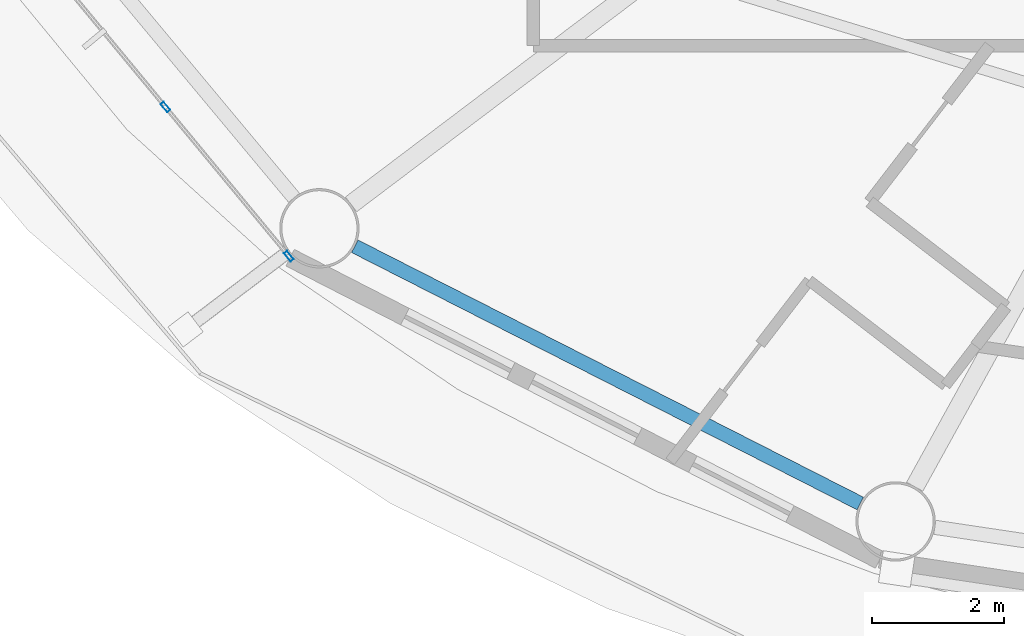
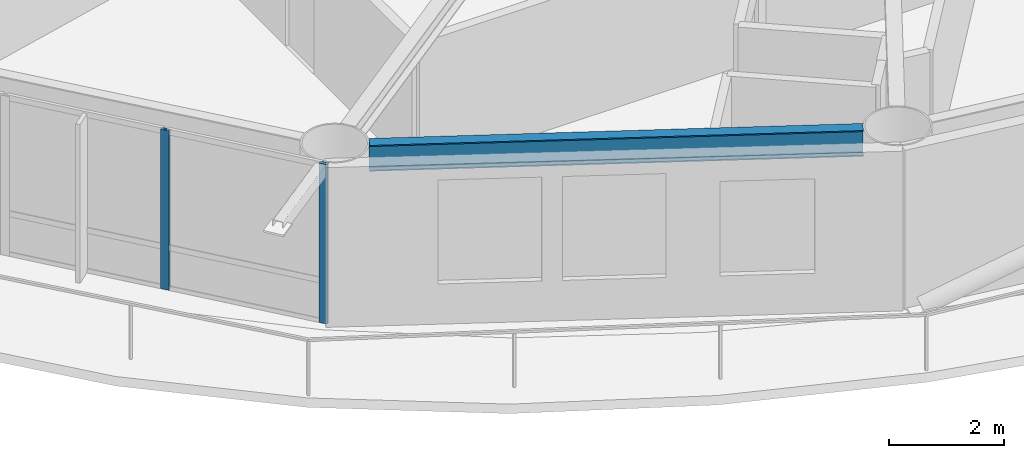
# One storey, part 2 of 28: 2 members, 1 beam, 1 element without a shape of its own.
"""IFC4 building model written with IfcOpenShell, lengths in metres."""

from ifc_helpers import new_model, si_unit, direction, frame, origin, origin_2d, place, context, subcontext, project, spatial, hollow_rectangle, i_section, extrude, material, layer, layer_set, material_profile, profile_set, type_object, element, aggregate, save


model = new_model("IFC4")

# Units and contexts
model_context = context("Model", 3, precision=1e-05, world=origin(), true_north=direction((0.0, 1.0)))
body_context = subcontext(model_context, "Body", "Model", "MODEL_VIEW")
ifc_project = project(units=[si_unit("LENGTHUNIT", "METRE"), si_unit("AREAUNIT", "SQUARE_METRE"), si_unit("VOLUMEUNIT", "CUBIC_METRE"), si_unit("PLANEANGLEUNIT", "RADIAN"), si_unit("MASSUNIT", "GRAM", prefix="KILO")], contexts=[model_context])

# Site, building, storey
site_placement = place(None, origin())
site = spatial("IfcSite", under=ifc_project, at=site_placement, CompositionType="ELEMENT")
building_placement = place(site_placement, origin())
building = spatial("IfcBuilding", under=site, at=building_placement, Name="Sarneth Arch Tower", CompositionType="ELEMENT")
storey_placement = place(building_placement, frame((0.0, 0.0, 183.0)))
storey = spatial("IfcBuildingStorey", under=building, at=storey_placement, Name="L46", CompositionType="ELEMENT", Elevation=183.0)

# Beam
ifc_material_1 = material(Name="Steel S355", Category="steel")
ifc_material_profile_1 = material_profile(ifc_material_1, i_section(OverallWidth=0.214111328125, OverallDepth=0.549072265625, WebThickness=0.0146484375, FlangeThickness=0.023681640625, FilletRadius=0.01806640625, at=origin_2d()), Name="W530x138")
ifc_profile_set_1 = profile_set([ifc_material_profile_1], Name="Steel S355")
beam_type = type_object("IfcBeamType", Name="BM-RAD-530A", PredefinedType="BEAM", material=ifc_profile_set_1)
beam_placement = place(storey_placement, frame((29.40087890625, 27.267578125, 3.10546875), z_axis=(0.891250372735, -0.453511601945, 0.0), x_axis=(0.453511601945, 0.891250372735, 0.0)))
element("IfcBeam", 1, at=beam_placement, inside=storey, type_object=beam_type, Name="L46 Perimeter spandrel beam 11", PredefinedType="BEAM", context=body_context, shape_type="SweptSolid", body=[
    extrude(i_section(OverallWidth=0.214111328125, OverallDepth=0.549072265625, WebThickness=0.0146484375, FlangeThickness=0.023681640625, FilletRadius=0.01806640625, at=origin_2d()), origin(), (0.0, 0.0, 1.0), 8.5751953125),
])

# Curtain wall, members
ifc_material_2 = material(Name="Anodised aluminium Type AA25 and solar-control low-e laminated IGU", Category="aluminium")
ifc_layer = layer(ifc_material_2, 0.169921875)
ifc_layer_set = layer_set([ifc_layer], Name="Anodised aluminium Type AA25 and solar-control low-e laminated IGU")
curtain_wall_type = type_object("IfcCurtainWallType", Name="CW-RES-MID", PredefinedType="NOTDEFINED", material=ifc_layer_set)
curtain_wall_placement = place(storey_placement, origin())
curtain_wall = element("IfcCurtainWall", 2, at=curtain_wall_placement, inside=storey, type_object=curtain_wall_type, Name="L46 Unitised curtain wall facet 10", PredefinedType="NOTDEFINED")
ifc_material_3 = material(Name="Anodised Aluminium 6063-T6", Category="aluminium")
ifc_material_profile_2 = material_profile(ifc_material_3, hollow_rectangle(XDim=0.06005859375, YDim=0.159912109375, WallThickness=0.00390625, at=origin_2d()), Name="AL-MULL-160x60x4")
ifc_profile_set_2 = profile_set([ifc_material_profile_2], Name="Anodised Aluminium 6063-T6")
member_type = type_object("IfcMemberType", Name="CW-MULLION", PredefinedType="MULLION", material=ifc_profile_set_2)
member_1_placement = place(storey_placement, frame((26.53857421875, 29.373779296875, 0.0), z_axis=(0.0, 0.0, 1.0), x_axis=(0.770590741276, 0.637330298558, 0.0)))
member_1 = element("IfcMember", 3, at=member_1_placement, type_object=member_type, Name="CW-SYS-5 mullion 3", PredefinedType="MULLION", context=body_context, shape_type="SweptSolid", body=[
    extrude(hollow_rectangle(XDim=0.06005859375, YDim=0.159912109375, WallThickness=0.00390625, at=origin_2d()), origin(), (0.0, 0.0, 1.0), 3.3798828125),
])
member_2_placement = place(storey_placement, frame((28.40478515625, 27.1171875, 0.0), z_axis=(0.0, 0.0, 1.0), x_axis=(0.770590741276, 0.637330298558, 0.0)))
member_2 = element("IfcMember", 4, at=member_2_placement, type_object=member_type, Name="CW-SYS-5 mullion 4", PredefinedType="MULLION", context=body_context, shape_type="SweptSolid", body=[
    extrude(hollow_rectangle(XDim=0.06005859375, YDim=0.159912109375, WallThickness=0.00390625, at=origin_2d()), origin(), (0.0, 0.0, 1.0), 3.3798828125),
])
aggregate(curtain_wall, [member_1, member_2])

save(model, "model.ifc")
